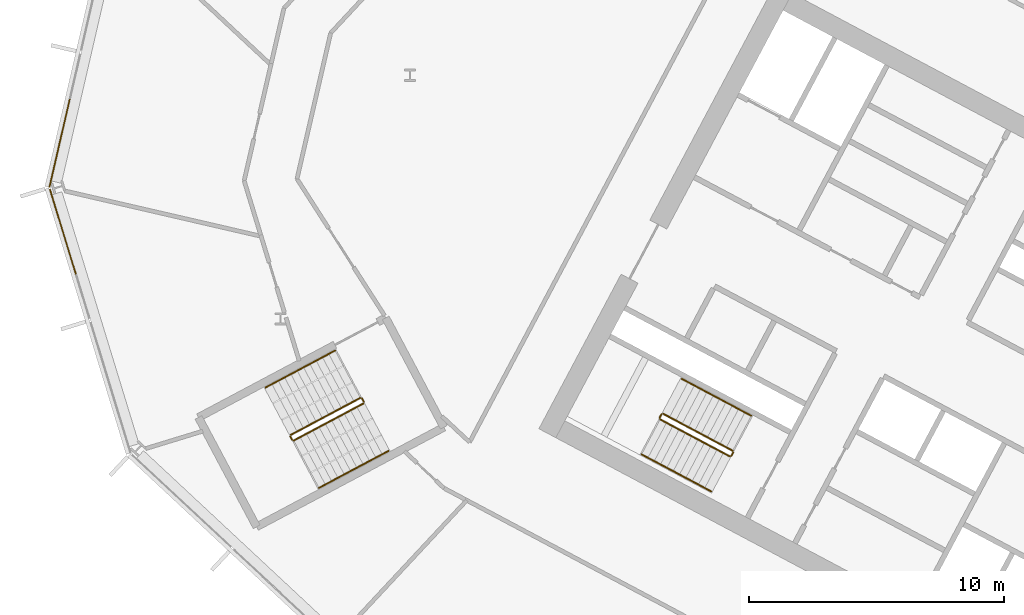
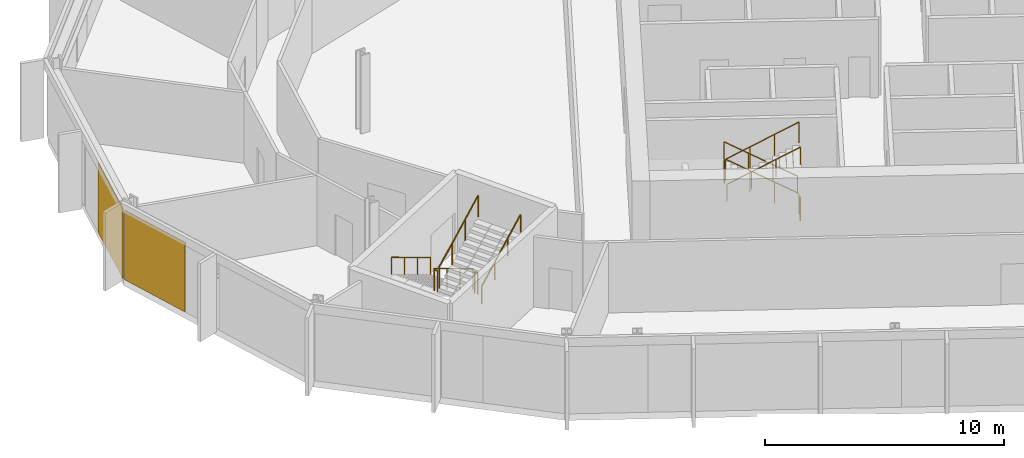
# One storey, part 21 of 28: 12 railings, 2 coverings, 2 elements without a shape of their own.
"""IFC4 building model written with IfcOpenShell, lengths in metres."""

from ifc_helpers import new_model, si_unit, direction, frame, origin, origin_2d, place, context, subcontext, project, spatial, polyline, rectangle, outline, extrude, material, layer, layer_set, type_object, element, aggregate, save


model = new_model("IFC4")

# Units and contexts
model_context = context("Model", 3, precision=1e-05, world=origin(), true_north=direction((0.0, 1.0)))
body_context = subcontext(model_context, "Body", "Model", "MODEL_VIEW")
ifc_project = project(units=[si_unit("LENGTHUNIT", "METRE"), si_unit("AREAUNIT", "SQUARE_METRE"), si_unit("VOLUMEUNIT", "CUBIC_METRE"), si_unit("PLANEANGLEUNIT", "RADIAN"), si_unit("MASSUNIT", "GRAM", prefix="KILO")], contexts=[model_context])

# Site, building, storey
site_placement = place(None, origin())
site = spatial("IfcSite", under=ifc_project, at=site_placement, CompositionType="ELEMENT")
building_placement = place(site_placement, origin())
building = spatial("IfcBuilding", under=site, at=building_placement, Name="Cormorant Relay Tower", CompositionType="ELEMENT")
storey_placement = place(building_placement, frame((0.0, 0.0, 174.199951171875)))
storey = spatial("IfcBuildingStorey", under=building, at=storey_placement, Name="L37", CompositionType="ELEMENT", Elevation=174.199951171875)

# Curtain wall, covering
ifc_material_1 = material(Name="Aluminium 6063-T6 anodised bronze", Category="aluminium")
ifc_layer_1 = layer(ifc_material_1, 0.199951171875)
ifc_layer_set_1 = layer_set([ifc_layer_1], Name="CW1 unitised bronze curtain wall with vertical fins")
curtain_wall_type = type_object("IfcCurtainWallType", Name="CW1 unitised bronze curtain wall with vertical fins", PredefinedType="NOTDEFINED", material=ifc_layer_set_1)
curtain_wall_1_placement = place(storey_placement, origin())
curtain_wall_1 = element("IfcCurtainWall", 1, at=curtain_wall_1_placement, inside=storey, type_object=curtain_wall_type, Name="CW1 curtain wall 13", PredefinedType="NOTDEFINED")
ifc_material_2 = material(Name="Pale bronze anodised aluminium insulated panel", Category="aluminium")
ifc_layer_2 = layer(ifc_material_2, 0.0400390625)
ifc_layer_set_2 = layer_set([ifc_layer_2], Name="CW1 pale bronze insulated panel 40")
covering_type = type_object("IfcCoveringType", Name="CW1 pale bronze insulated panel 40", PredefinedType="CLADDING", material=ifc_layer_set_2)
covering_1_placement = place(storey_placement, frame((-60.3388671875, 22.13232421875, 0.0), z_axis=(0.0, 0.0, 1.0), x_axis=(-0.224951054344, -0.974370064785, 0.0)))
covering_1 = element("IfcCovering", 2, at=covering_1_placement, type_object=covering_type, Name="CW1 panel S02", PredefinedType="CLADDING", context=body_context, shape_type="SweptSolid", body=[
    extrude(rectangle(XDim=3.560302734375, YDim=0.0400390625, at=origin_2d()), origin(), (0.0, 0.0, 1.0), 3.550048828125),
])
aggregate(curtain_wall_1, [covering_1])

curtain_wall_2_placement = place(storey_placement, origin())
curtain_wall_2 = element("IfcCurtainWall", 3, at=curtain_wall_2_placement, inside=storey, type_object=curtain_wall_type, Name="CW1 curtain wall 14", PredefinedType="NOTDEFINED")
covering_2_placement = place(storey_placement, frame((-60.20751953125, 18.6494140625, 0.0), z_axis=(0.0, 0.0, 1.0), x_axis=(0.292371704723, -0.956304755963, 0.0)))
covering_2 = element("IfcCovering", 4, at=covering_2_placement, type_object=covering_type, Name="CW1 panel S00", PredefinedType="CLADDING", context=body_context, shape_type="SweptSolid", body=[
    extrude(rectangle(XDim=3.485107421875, YDim=0.0400390625, at=origin_2d()), origin(), (0.0, 0.0, 1.0), 3.550048828125),
])
aggregate(curtain_wall_2, [covering_2])

# Railings
ifc_material_3 = material(Name="Steel ASTM A572 Grade 50 (Fy 345 MPa)", Category="steel")
railing_type_1 = type_object("IfcRailingType", Name="Stair guard 1100", PredefinedType="GUARDRAIL", material=ifc_material_3)
railing_1_placement = place(storey_placement, frame((-33.9921875, 10.08935546875, 0.166748046875)))
element("IfcRailing", 5, at=railing_1_placement, inside=storey, type_object=railing_type_1, Name="L37 A2 stair guard 1", PredefinedType="GUARDRAIL", context=body_context, shape_type="SweptSolid", body=[
    extrude(outline(polyline([(0.022216796875, 0.00927734375), (0.00927734375, 0.022216796875), (-0.00927734375, 0.022216796875), (-0.022216796875, 0.00927734375), (-0.022216796875, -0.00927734375), (-0.00927734375, -0.022216796875), (0.00927734375, -0.022216796875), (0.022216796875, -0.00927734375), (0.022216796875, 0.00927734375)])), frame((0.0, 0.0, 1.076171875), z_axis=(-0.758713656843, 0.403434867536, 0.511462505542), x_axis=(-0.469489399267, -0.882938108802, 0.0)), (0.0, 0.0, 1.0), 3.584228515625),
    extrude(outline(polyline([(0.019287109375, 0.008056640625), (0.008056640625, 0.019287109375), (-0.008056640625, 0.019287109375), (-0.019287109375, 0.008056640625), (-0.019287109375, -0.008056640625), (-0.008056640625, -0.019287109375), (0.008056640625, -0.019287109375), (0.019287109375, -0.008056640625), (0.019287109375, 0.008056640625)])), origin(), (0.0, 0.0, 1.0), 1.052001953125),
    extrude(outline(polyline([(0.019287109375, 0.008056640625), (0.008056640625, 0.019287109375), (-0.008056640625, 0.019287109375), (-0.019287109375, 0.008056640625), (-0.019287109375, -0.008056640625), (-0.008056640625, -0.019287109375), (0.008056640625, -0.019287109375), (0.019287109375, -0.008056640625), (0.019287109375, 0.008056640625)])), frame((-0.906494140625, 0.48193359375, 0.611083984375)), (0.0, 0.0, 1.0), 1.052001953125),
    extrude(outline(polyline([(0.019287109375, 0.008056640625), (0.008056640625, 0.019287109375), (-0.008056640625, 0.019287109375), (-0.019287109375, 0.008056640625), (-0.019287109375, -0.008056640625), (-0.008056640625, -0.019287109375), (0.008056640625, -0.019287109375), (0.019287109375, -0.008056640625), (0.019287109375, 0.008056640625)])), frame((-1.81298828125, 0.964111328125, 1.22216796875)), (0.0, 0.0, 1.0), 1.052001953125),
    extrude(outline(polyline([(0.019287109375, 0.008056640625), (0.008056640625, 0.019287109375), (-0.008056640625, 0.019287109375), (-0.019287109375, 0.008056640625), (-0.019287109375, -0.008056640625), (-0.008056640625, -0.019287109375), (0.008056640625, -0.019287109375), (0.019287109375, -0.008056640625), (0.019287109375, 0.008056640625)])), frame((-2.719482421875, 1.446044921875, 1.833251953125)), (0.0, 0.0, 1.0), 1.052001953125),
])
railing_2_placement = place(storey_placement, frame((-36.779296875, 11.5146484375, 2.0)))
element("IfcRailing", 6, at=railing_2_placement, inside=storey, type_object=railing_type_1, Name="L37 A2 stair guard 2", PredefinedType="GUARDRAIL", context=body_context, shape_type="SweptSolid", body=[
    extrude(outline(polyline([(0.022216796875, 0.00927734375), (0.00927734375, 0.022216796875), (-0.00927734375, 0.022216796875), (-0.022216796875, 0.00927734375), (-0.022216796875, -0.00927734375), (-0.00927734375, -0.022216796875), (0.00927734375, -0.022216796875), (0.022216796875, -0.00927734375), (0.022216796875, 0.00927734375)])), frame((0.0, 0.0, 1.076171875), z_axis=(-0.469234640946, -0.883073525669, 0.0), x_axis=(0.883073525669, -0.469234640946, 0.0)), (0.0, 0.0, 1.0), 0.14990234375),
    extrude(outline(polyline([(0.019287109375, 0.008056640625), (0.008056640625, 0.019287109375), (-0.008056640625, 0.019287109375), (-0.019287109375, 0.008056640625), (-0.019287109375, -0.008056640625), (-0.008056640625, -0.019287109375), (0.008056640625, -0.019287109375), (0.019287109375, -0.008056640625), (0.019287109375, 0.008056640625)])), origin(), (0.0, 0.0, 1.0), 1.052001953125),
    extrude(outline(polyline([(0.019287109375, 0.008056640625), (0.008056640625, 0.019287109375), (-0.008056640625, 0.019287109375), (-0.019287109375, 0.008056640625), (-0.019287109375, -0.008056640625), (-0.008056640625, -0.019287109375), (0.008056640625, -0.019287109375), (0.019287109375, -0.008056640625), (0.019287109375, 0.008056640625)])), frame((-0.0703125, -0.13232421875, 0.0)), (0.0, 0.0, 1.0), 1.052001953125),
])
railing_3_placement = place(storey_placement, frame((-36.8291015625, 11.314697265625, 2.166748046875)))
element("IfcRailing", 7, at=railing_3_placement, inside=storey, type_object=railing_type_1, Name="L37 A2 stair guard 3", PredefinedType="GUARDRAIL", context=body_context, shape_type="SweptSolid", body=[
    extrude(outline(polyline([(0.022216796875, 0.00927734375), (0.00927734375, 0.022216796875), (-0.00927734375, 0.022216796875), (-0.022216796875, 0.00927734375), (-0.022216796875, -0.00927734375), (-0.00927734375, -0.022216796875), (0.00927734375, -0.022216796875), (0.022216796875, -0.00927734375), (0.022216796875, 0.00927734375)])), frame((0.0, 0.0, 1.076171875), z_axis=(0.758713656843, -0.403434867536, 0.511462505542), x_axis=(0.469489399267, 0.882938108802, 0.0)), (0.0, 0.0, 1.0), 3.584228515625),
    extrude(outline(polyline([(0.019287109375, 0.008056640625), (0.008056640625, 0.019287109375), (-0.008056640625, 0.019287109375), (-0.019287109375, 0.008056640625), (-0.019287109375, -0.008056640625), (-0.008056640625, -0.019287109375), (0.008056640625, -0.019287109375), (0.019287109375, -0.008056640625), (0.019287109375, 0.008056640625)])), origin(), (0.0, 0.0, 1.0), 1.052001953125),
    extrude(outline(polyline([(0.019287109375, 0.008056640625), (0.008056640625, 0.019287109375), (-0.008056640625, 0.019287109375), (-0.019287109375, 0.008056640625), (-0.019287109375, -0.008056640625), (-0.008056640625, -0.019287109375), (0.008056640625, -0.019287109375), (0.019287109375, -0.008056640625), (0.019287109375, 0.008056640625)])), frame((0.906494140625, -0.48193359375, 0.611083984375)), (0.0, 0.0, 1.0), 1.052001953125),
    extrude(outline(polyline([(0.019287109375, 0.008056640625), (0.008056640625, 0.019287109375), (-0.008056640625, 0.019287109375), (-0.019287109375, 0.008056640625), (-0.019287109375, -0.008056640625), (-0.008056640625, -0.019287109375), (0.008056640625, -0.019287109375), (0.019287109375, -0.008056640625), (0.019287109375, 0.008056640625)])), frame((1.81298828125, -0.964111328125, 1.22216796875)), (0.0, 0.0, 1.0), 1.052001953125),
    extrude(outline(polyline([(0.019287109375, 0.008056640625), (0.008056640625, 0.019287109375), (-0.008056640625, 0.019287109375), (-0.019287109375, 0.008056640625), (-0.019287109375, -0.008056640625), (-0.008056640625, -0.019287109375), (0.008056640625, -0.019287109375), (0.019287109375, -0.008056640625), (0.019287109375, 0.008056640625)])), frame((2.719482421875, -1.446044921875, 1.833251953125)), (0.0, 0.0, 1.0), 1.052001953125),
])
railing_4_placement = place(storey_placement, frame((-33.971435546875, 10.021728515625, 0.0)))
element("IfcRailing", 8, at=railing_4_placement, inside=storey, type_object=railing_type_1, Name="L37 A2 stair guard 4", PredefinedType="GUARDRAIL", context=body_context, shape_type="SweptSolid", body=[
    extrude(outline(polyline([(0.022216796875, 0.00927734375), (0.00927734375, 0.022216796875), (-0.00927734375, 0.022216796875), (-0.022216796875, 0.00927734375), (-0.022216796875, -0.00927734375), (-0.00927734375, -0.022216796875), (0.00927734375, -0.022216796875), (0.022216796875, -0.00927734375), (0.022216796875, 0.00927734375)])), frame((0.0, 0.0, 1.076171875), z_axis=(-0.470503732759, -0.882398003998, 0.0), x_axis=(0.882398003998, -0.470503732759, 0.0)), (0.0, 0.0, 1.0), 0.14990234375),
    extrude(outline(polyline([(0.019287109375, 0.008056640625), (0.008056640625, 0.019287109375), (-0.008056640625, 0.019287109375), (-0.019287109375, 0.008056640625), (-0.019287109375, -0.008056640625), (-0.008056640625, -0.019287109375), (0.008056640625, -0.019287109375), (0.019287109375, -0.008056640625), (0.019287109375, 0.008056640625)])), origin(), (0.0, 0.0, 1.0), 1.052001953125),
    extrude(outline(polyline([(0.019287109375, 0.008056640625), (0.008056640625, 0.019287109375), (-0.008056640625, 0.019287109375), (-0.019287109375, 0.008056640625), (-0.019287109375, -0.008056640625), (-0.008056640625, -0.019287109375), (0.008056640625, -0.019287109375), (0.019287109375, -0.008056640625), (0.019287109375, 0.008056640625)])), frame((-0.070556640625, -0.13232421875, 0.0)), (0.0, 0.0, 1.0), 1.052001953125),
])
railing_5_placement = place(storey_placement, frame((-48.5693359375, 12.155517578125, 0.166748046875)))
element("IfcRailing", 9, at=railing_5_placement, inside=storey, type_object=railing_type_1, Name="L37 RP1 stair guard 1", PredefinedType="GUARDRAIL", context=body_context, shape_type="SweptSolid", body=[
    extrude(outline(polyline([(0.022216796875, 0.00927734375), (0.00927734375, 0.022216796875), (-0.00927734375, 0.022216796875), (-0.022216796875, 0.00927734375), (-0.022216796875, -0.00927734375), (-0.00927734375, -0.022216796875), (0.00927734375, -0.022216796875), (0.022216796875, -0.00927734375), (0.022216796875, 0.00927734375)])), frame((0.0, 0.0, 1.076171875), z_axis=(-0.758713656843, -0.403434867536, 0.511462505542), x_axis=(0.469489399267, -0.882938108802, 0.0)), (0.0, 0.0, 1.0), 3.584228515625),
    extrude(outline(polyline([(0.019287109375, 0.008056640625), (0.008056640625, 0.019287109375), (-0.008056640625, 0.019287109375), (-0.019287109375, 0.008056640625), (-0.019287109375, -0.008056640625), (-0.008056640625, -0.019287109375), (0.008056640625, -0.019287109375), (0.019287109375, -0.008056640625), (0.019287109375, 0.008056640625)])), origin(), (0.0, 0.0, 1.0), 1.052001953125),
    extrude(outline(polyline([(0.019287109375, 0.008056640625), (0.008056640625, 0.019287109375), (-0.008056640625, 0.019287109375), (-0.019287109375, 0.008056640625), (-0.019287109375, -0.008056640625), (-0.008056640625, -0.019287109375), (0.008056640625, -0.019287109375), (0.019287109375, -0.008056640625), (0.019287109375, 0.008056640625)])), frame((-0.906494140625, -0.48193359375, 0.611083984375)), (0.0, 0.0, 1.0), 1.052001953125),
    extrude(outline(polyline([(0.019287109375, 0.008056640625), (0.008056640625, 0.019287109375), (-0.008056640625, 0.019287109375), (-0.019287109375, 0.008056640625), (-0.019287109375, -0.008056640625), (-0.008056640625, -0.019287109375), (0.008056640625, -0.019287109375), (0.019287109375, -0.008056640625), (0.019287109375, 0.008056640625)])), frame((-1.81298828125, -0.964111328125, 1.22216796875)), (0.0, 0.0, 1.0), 1.052001953125),
    extrude(outline(polyline([(0.019287109375, 0.008056640625), (0.008056640625, 0.019287109375), (-0.008056640625, 0.019287109375), (-0.019287109375, 0.008056640625), (-0.019287109375, -0.008056640625), (-0.008056640625, -0.019287109375), (0.008056640625, -0.019287109375), (0.019287109375, -0.008056640625), (0.019287109375, 0.008056640625)])), frame((-2.719482421875, -1.446044921875, 1.833251953125)), (0.0, 0.0, 1.0), 1.052001953125),
])
railing_6_placement = place(storey_placement, frame((-51.3095703125, 10.641845703125, 2.0)))
element("IfcRailing", 10, at=railing_6_placement, inside=storey, type_object=railing_type_1, Name="L37 RP1 stair guard 2", PredefinedType="GUARDRAIL", context=body_context, shape_type="SweptSolid", body=[
    extrude(outline(polyline([(0.022216796875, 0.00927734375), (0.00927734375, 0.022216796875), (-0.00927734375, 0.022216796875), (-0.022216796875, 0.00927734375), (-0.022216796875, -0.00927734375), (-0.00927734375, -0.022216796875), (0.00927734375, -0.022216796875), (0.022216796875, -0.00927734375), (0.022216796875, 0.00927734375)])), frame((0.0, 0.0, 1.076171875), z_axis=(0.469828648786, -0.882757634224, 0.0), x_axis=(0.882757634224, 0.469828648786, 0.0)), (0.0, 0.0, 1.0), 0.150146484375),
    extrude(outline(polyline([(0.019287109375, 0.008056640625), (0.008056640625, 0.019287109375), (-0.008056640625, 0.019287109375), (-0.019287109375, 0.008056640625), (-0.019287109375, -0.008056640625), (-0.008056640625, -0.019287109375), (0.008056640625, -0.019287109375), (0.019287109375, -0.008056640625), (0.019287109375, 0.008056640625)])), origin(), (0.0, 0.0, 1.0), 1.052001953125),
    extrude(outline(polyline([(0.019287109375, 0.008056640625), (0.008056640625, 0.019287109375), (-0.008056640625, 0.019287109375), (-0.019287109375, 0.008056640625), (-0.019287109375, -0.008056640625), (-0.008056640625, -0.019287109375), (0.008056640625, -0.019287109375), (0.019287109375, -0.008056640625), (0.019287109375, 0.008056640625)])), frame((0.070556640625, -0.132568359375, 0.0)), (0.0, 0.0, 1.0), 1.052001953125),
])
railing_7_placement = place(storey_placement, frame((-51.17138671875, 10.48876953125, 2.166748046875)))
element("IfcRailing", 11, at=railing_7_placement, inside=storey, type_object=railing_type_1, Name="L37 RP1 stair guard 3", PredefinedType="GUARDRAIL", context=body_context, shape_type="SweptSolid", body=[
    extrude(outline(polyline([(0.022216796875, 0.00927734375), (0.00927734375, 0.022216796875), (-0.00927734375, 0.022216796875), (-0.022216796875, 0.00927734375), (-0.022216796875, -0.00927734375), (-0.00927734375, -0.022216796875), (0.00927734375, -0.022216796875), (0.022216796875, -0.00927734375), (0.022216796875, 0.00927734375)])), frame((0.0, 0.0, 1.076171875), z_axis=(0.758734504837, 0.403377838015, 0.511476559549), x_axis=(-0.469427602063, 0.882970965786, 0.0)), (0.0, 0.0, 1.0), 3.584228515625),
    extrude(outline(polyline([(0.019287109375, 0.008056640625), (0.008056640625, 0.019287109375), (-0.008056640625, 0.019287109375), (-0.019287109375, 0.008056640625), (-0.019287109375, -0.008056640625), (-0.008056640625, -0.019287109375), (0.008056640625, -0.019287109375), (0.019287109375, -0.008056640625), (0.019287109375, 0.008056640625)])), origin(), (0.0, 0.0, 1.0), 1.052001953125),
    extrude(outline(polyline([(0.019287109375, 0.008056640625), (0.008056640625, 0.019287109375), (-0.008056640625, 0.019287109375), (-0.019287109375, 0.008056640625), (-0.019287109375, -0.008056640625), (-0.008056640625, -0.019287109375), (0.008056640625, -0.019287109375), (0.019287109375, -0.008056640625), (0.019287109375, 0.008056640625)])), frame((0.906494140625, 0.48193359375, 0.611083984375)), (0.0, 0.0, 1.0), 1.052001953125),
    extrude(outline(polyline([(0.019287109375, 0.008056640625), (0.008056640625, 0.019287109375), (-0.008056640625, 0.019287109375), (-0.019287109375, 0.008056640625), (-0.019287109375, -0.008056640625), (-0.008056640625, -0.019287109375), (0.008056640625, -0.019287109375), (0.019287109375, -0.008056640625), (0.019287109375, 0.008056640625)])), frame((1.81298828125, 0.9638671875, 1.22216796875)), (0.0, 0.0, 1.0), 1.052001953125),
    extrude(outline(polyline([(0.019287109375, 0.008056640625), (0.008056640625, 0.019287109375), (-0.008056640625, 0.019287109375), (-0.019287109375, 0.008056640625), (-0.019287109375, -0.008056640625), (-0.008056640625, -0.019287109375), (0.008056640625, -0.019287109375), (0.019287109375, -0.008056640625), (0.019287109375, 0.008056640625)])), frame((2.719482421875, 1.44580078125, 1.833251953125)), (0.0, 0.0, 1.0), 1.052001953125),
])
railing_8_placement = place(storey_placement, frame((-48.501708984375, 12.134765625, 0.0)))
element("IfcRailing", 12, at=railing_8_placement, inside=storey, type_object=railing_type_1, Name="L37 RP1 stair guard 4", PredefinedType="GUARDRAIL", context=body_context, shape_type="SweptSolid", body=[
    extrude(outline(polyline([(0.022216796875, 0.00927734375), (0.00927734375, 0.022216796875), (-0.00927734375, 0.022216796875), (-0.022216796875, 0.00927734375), (-0.022216796875, -0.00927734375), (-0.00927734375, -0.022216796875), (0.00927734375, -0.022216796875), (0.022216796875, -0.00927734375), (0.022216796875, 0.00927734375)])), frame((0.0, 0.0, 1.076171875), z_axis=(0.46856034887, -0.8834314911, 0.0), x_axis=(0.8834314911, 0.46856034887, 0.0)), (0.0, 0.0, 1.0), 0.150146484375),
    extrude(outline(polyline([(0.019287109375, 0.008056640625), (0.008056640625, 0.019287109375), (-0.008056640625, 0.019287109375), (-0.019287109375, 0.008056640625), (-0.019287109375, -0.008056640625), (-0.008056640625, -0.019287109375), (0.008056640625, -0.019287109375), (0.019287109375, -0.008056640625), (0.019287109375, 0.008056640625)])), origin(), (0.0, 0.0, 1.0), 1.052001953125),
    extrude(outline(polyline([(0.019287109375, 0.008056640625), (0.008056640625, 0.019287109375), (-0.008056640625, 0.019287109375), (-0.019287109375, 0.008056640625), (-0.019287109375, -0.008056640625), (-0.008056640625, -0.019287109375), (0.008056640625, -0.019287109375), (0.019287109375, -0.008056640625), (0.019287109375, 0.008056640625)])), frame((0.0703125, -0.132568359375, 0.0)), (0.0, 0.0, 1.0), 1.052001953125),
])
ifc_material_4 = material(Name="Steel ASTM A572 Grade 50 (Fy 345 MPa)", Category="steel")
railing_type_2 = type_object("IfcRailingType", Name="Stair handrail 900", PredefinedType="HANDRAIL", material=ifc_material_4)
railing_9_placement = place(storey_placement, frame((-33.264404296875, 11.4580078125, 0.166748046875)))
element("IfcRailing", 13, at=railing_9_placement, inside=storey, type_object=railing_type_2, Name="L37 A2 stair handrail 1", PredefinedType="HANDRAIL", context=body_context, shape_type="SweptSolid", body=[
    extrude(outline(polyline([(0.022216796875, 0.00927734375), (0.00927734375, 0.022216796875), (-0.00927734375, 0.022216796875), (-0.022216796875, 0.00927734375), (-0.022216796875, -0.00927734375), (-0.00927734375, -0.022216796875), (0.00927734375, -0.022216796875), (0.022216796875, -0.00927734375), (0.022216796875, 0.00927734375)])), frame((0.0, 0.0, 0.8759765625), z_axis=(-0.758734504837, 0.403377838015, 0.511476559549), x_axis=(-0.469427602063, -0.882970965786, 0.0)), (0.0, 0.0, 1.0), 3.584228515625),
    extrude(outline(polyline([(0.019287109375, 0.008056640625), (0.008056640625, 0.019287109375), (-0.008056640625, 0.019287109375), (-0.019287109375, 0.008056640625), (-0.019287109375, -0.008056640625), (-0.008056640625, -0.019287109375), (0.008056640625, -0.019287109375), (0.019287109375, -0.008056640625), (0.019287109375, 0.008056640625)])), origin(), (0.0, 0.0, 1.0), 0.851806640625),
    extrude(outline(polyline([(0.019287109375, 0.008056640625), (0.008056640625, 0.019287109375), (-0.008056640625, 0.019287109375), (-0.019287109375, 0.008056640625), (-0.019287109375, -0.008056640625), (-0.008056640625, -0.019287109375), (0.008056640625, -0.019287109375), (0.019287109375, -0.008056640625), (0.019287109375, 0.008056640625)])), frame((-0.906494140625, 0.48193359375, 0.611083984375)), (0.0, 0.0, 1.0), 0.851806640625),
    extrude(outline(polyline([(0.019287109375, 0.008056640625), (0.008056640625, 0.019287109375), (-0.008056640625, 0.019287109375), (-0.019287109375, 0.008056640625), (-0.019287109375, -0.008056640625), (-0.008056640625, -0.019287109375), (0.008056640625, -0.019287109375), (0.019287109375, -0.008056640625), (0.019287109375, 0.008056640625)])), frame((-1.81298828125, 0.9638671875, 1.22216796875)), (0.0, 0.0, 1.0), 0.851806640625),
    extrude(outline(polyline([(0.019287109375, 0.008056640625), (0.008056640625, 0.019287109375), (-0.008056640625, 0.019287109375), (-0.019287109375, 0.008056640625), (-0.019287109375, -0.008056640625), (-0.008056640625, -0.019287109375), (0.008056640625, -0.019287109375), (0.019287109375, -0.008056640625), (0.019287109375, 0.008056640625)])), frame((-2.719482421875, 1.44580078125, 1.833251953125)), (0.0, 0.0, 1.0), 0.851806640625),
])
railing_10_placement = place(storey_placement, frame((-37.556640625, 9.946044921875, 2.166748046875)))
element("IfcRailing", 14, at=railing_10_placement, inside=storey, type_object=railing_type_2, Name="L37 A2 stair handrail 2", PredefinedType="HANDRAIL", context=body_context, shape_type="SweptSolid", body=[
    extrude(outline(polyline([(0.022216796875, 0.00927734375), (0.00927734375, 0.022216796875), (-0.00927734375, 0.022216796875), (-0.022216796875, 0.00927734375), (-0.022216796875, -0.00927734375), (-0.00927734375, -0.022216796875), (0.00927734375, -0.022216796875), (0.022216796875, -0.00927734375), (0.022216796875, 0.00927734375)])), frame((0.0, 0.0, 0.8759765625), z_axis=(0.758713656843, -0.403434867536, 0.511462505542), x_axis=(0.469489399267, 0.882938108802, 0.0)), (0.0, 0.0, 1.0), 3.584228515625),
    extrude(outline(polyline([(0.019287109375, 0.008056640625), (0.008056640625, 0.019287109375), (-0.008056640625, 0.019287109375), (-0.019287109375, 0.008056640625), (-0.019287109375, -0.008056640625), (-0.008056640625, -0.019287109375), (0.008056640625, -0.019287109375), (0.019287109375, -0.008056640625), (0.019287109375, 0.008056640625)])), origin(), (0.0, 0.0, 1.0), 0.851806640625),
    extrude(outline(polyline([(0.019287109375, 0.008056640625), (0.008056640625, 0.019287109375), (-0.008056640625, 0.019287109375), (-0.019287109375, 0.008056640625), (-0.019287109375, -0.008056640625), (-0.008056640625, -0.019287109375), (0.008056640625, -0.019287109375), (0.019287109375, -0.008056640625), (0.019287109375, 0.008056640625)])), frame((0.906494140625, -0.48193359375, 0.611083984375)), (0.0, 0.0, 1.0), 0.851806640625),
    extrude(outline(polyline([(0.019287109375, 0.008056640625), (0.008056640625, 0.019287109375), (-0.008056640625, 0.019287109375), (-0.019287109375, 0.008056640625), (-0.019287109375, -0.008056640625), (-0.008056640625, -0.019287109375), (0.008056640625, -0.019287109375), (0.019287109375, -0.008056640625), (0.019287109375, 0.008056640625)])), frame((1.81298828125, -0.964111328125, 1.22216796875)), (0.0, 0.0, 1.0), 0.851806640625),
    extrude(outline(polyline([(0.019287109375, 0.008056640625), (0.008056640625, 0.019287109375), (-0.008056640625, 0.019287109375), (-0.019287109375, 0.008056640625), (-0.019287109375, -0.008056640625), (-0.008056640625, -0.019287109375), (0.008056640625, -0.019287109375), (0.019287109375, -0.008056640625), (0.019287109375, 0.008056640625)])), frame((2.719482421875, -1.446044921875, 1.833251953125)), (0.0, 0.0, 1.0), 0.851806640625),
])
railing_11_placement = place(storey_placement, frame((-49.55517578125, 14.009521484375, 0.166748046875)))
element("IfcRailing", 15, at=railing_11_placement, inside=storey, type_object=railing_type_2, Name="L37 RP1 stair handrail 1", PredefinedType="HANDRAIL", context=body_context, shape_type="SweptSolid", body=[
    extrude(outline(polyline([(0.022216796875, 0.00927734375), (0.00927734375, 0.022216796875), (-0.00927734375, 0.022216796875), (-0.022216796875, 0.00927734375), (-0.022216796875, -0.00927734375), (-0.00927734375, -0.022216796875), (0.00927734375, -0.022216796875), (0.022216796875, -0.00927734375), (0.022216796875, 0.00927734375)])), frame((0.0, 0.0, 0.8759765625), z_axis=(-0.758734504837, -0.403377838015, 0.511476559549), x_axis=(0.469427602063, -0.882970965786, 0.0)), (0.0, 0.0, 1.0), 3.584228515625),
    extrude(outline(polyline([(0.019287109375, 0.008056640625), (0.008056640625, 0.019287109375), (-0.008056640625, 0.019287109375), (-0.019287109375, 0.008056640625), (-0.019287109375, -0.008056640625), (-0.008056640625, -0.019287109375), (0.008056640625, -0.019287109375), (0.019287109375, -0.008056640625), (0.019287109375, 0.008056640625)])), origin(), (0.0, 0.0, 1.0), 0.851806640625),
    extrude(outline(polyline([(0.019287109375, 0.008056640625), (0.008056640625, 0.019287109375), (-0.008056640625, 0.019287109375), (-0.019287109375, 0.008056640625), (-0.019287109375, -0.008056640625), (-0.008056640625, -0.019287109375), (0.008056640625, -0.019287109375), (0.019287109375, -0.008056640625), (0.019287109375, 0.008056640625)])), frame((-0.906494140625, -0.48193359375, 0.611083984375)), (0.0, 0.0, 1.0), 0.851806640625),
    extrude(outline(polyline([(0.019287109375, 0.008056640625), (0.008056640625, 0.019287109375), (-0.008056640625, 0.019287109375), (-0.019287109375, 0.008056640625), (-0.019287109375, -0.008056640625), (-0.008056640625, -0.019287109375), (0.008056640625, -0.019287109375), (0.019287109375, -0.008056640625), (0.019287109375, 0.008056640625)])), frame((-1.81298828125, -0.9638671875, 1.22216796875)), (0.0, 0.0, 1.0), 0.851806640625),
    extrude(outline(polyline([(0.019287109375, 0.008056640625), (0.008056640625, 0.019287109375), (-0.008056640625, 0.019287109375), (-0.019287109375, 0.008056640625), (-0.019287109375, -0.008056640625), (-0.008056640625, -0.019287109375), (0.008056640625, -0.019287109375), (0.019287109375, -0.008056640625), (0.019287109375, 0.008056640625)])), frame((-2.719482421875, -1.44580078125, 1.833251953125)), (0.0, 0.0, 1.0), 0.851806640625),
])
railing_12_placement = place(storey_placement, frame((-50.185546875, 8.634521484375, 2.166748046875)))
element("IfcRailing", 16, at=railing_12_placement, inside=storey, type_object=railing_type_2, Name="L37 RP1 stair handrail 2", PredefinedType="HANDRAIL", context=body_context, shape_type="SweptSolid", body=[
    extrude(outline(polyline([(0.022216796875, 0.00927734375), (0.00927734375, 0.022216796875), (-0.00927734375, 0.022216796875), (-0.022216796875, 0.00927734375), (-0.022216796875, -0.00927734375), (-0.00927734375, -0.022216796875), (0.00927734375, -0.022216796875), (0.022216796875, -0.00927734375), (0.022216796875, 0.00927734375)])), frame((0.0, 0.0, 0.8759765625), z_axis=(0.758713656843, 0.403434867536, 0.511462505542), x_axis=(-0.469489399267, 0.882938108802, 0.0)), (0.0, 0.0, 1.0), 3.584228515625),
    extrude(outline(polyline([(0.019287109375, 0.008056640625), (0.008056640625, 0.019287109375), (-0.008056640625, 0.019287109375), (-0.019287109375, 0.008056640625), (-0.019287109375, -0.008056640625), (-0.008056640625, -0.019287109375), (0.008056640625, -0.019287109375), (0.019287109375, -0.008056640625), (0.019287109375, 0.008056640625)])), origin(), (0.0, 0.0, 1.0), 0.851806640625),
    extrude(outline(polyline([(0.019287109375, 0.008056640625), (0.008056640625, 0.019287109375), (-0.008056640625, 0.019287109375), (-0.019287109375, 0.008056640625), (-0.019287109375, -0.008056640625), (-0.008056640625, -0.019287109375), (0.008056640625, -0.019287109375), (0.019287109375, -0.008056640625), (0.019287109375, 0.008056640625)])), frame((0.906494140625, 0.48193359375, 0.611083984375)), (0.0, 0.0, 1.0), 0.851806640625),
    extrude(outline(polyline([(0.019287109375, 0.008056640625), (0.008056640625, 0.019287109375), (-0.008056640625, 0.019287109375), (-0.019287109375, 0.008056640625), (-0.019287109375, -0.008056640625), (-0.008056640625, -0.019287109375), (0.008056640625, -0.019287109375), (0.019287109375, -0.008056640625), (0.019287109375, 0.008056640625)])), frame((1.81298828125, 0.964111328125, 1.22216796875)), (0.0, 0.0, 1.0), 0.851806640625),
    extrude(outline(polyline([(0.019287109375, 0.008056640625), (0.008056640625, 0.019287109375), (-0.008056640625, 0.019287109375), (-0.019287109375, 0.008056640625), (-0.019287109375, -0.008056640625), (-0.008056640625, -0.019287109375), (0.008056640625, -0.019287109375), (0.019287109375, -0.008056640625), (0.019287109375, 0.008056640625)])), frame((2.719482421875, 1.446044921875, 1.833251953125)), (0.0, 0.0, 1.0), 0.851806640625),
])

save(model, "model.ifc")
